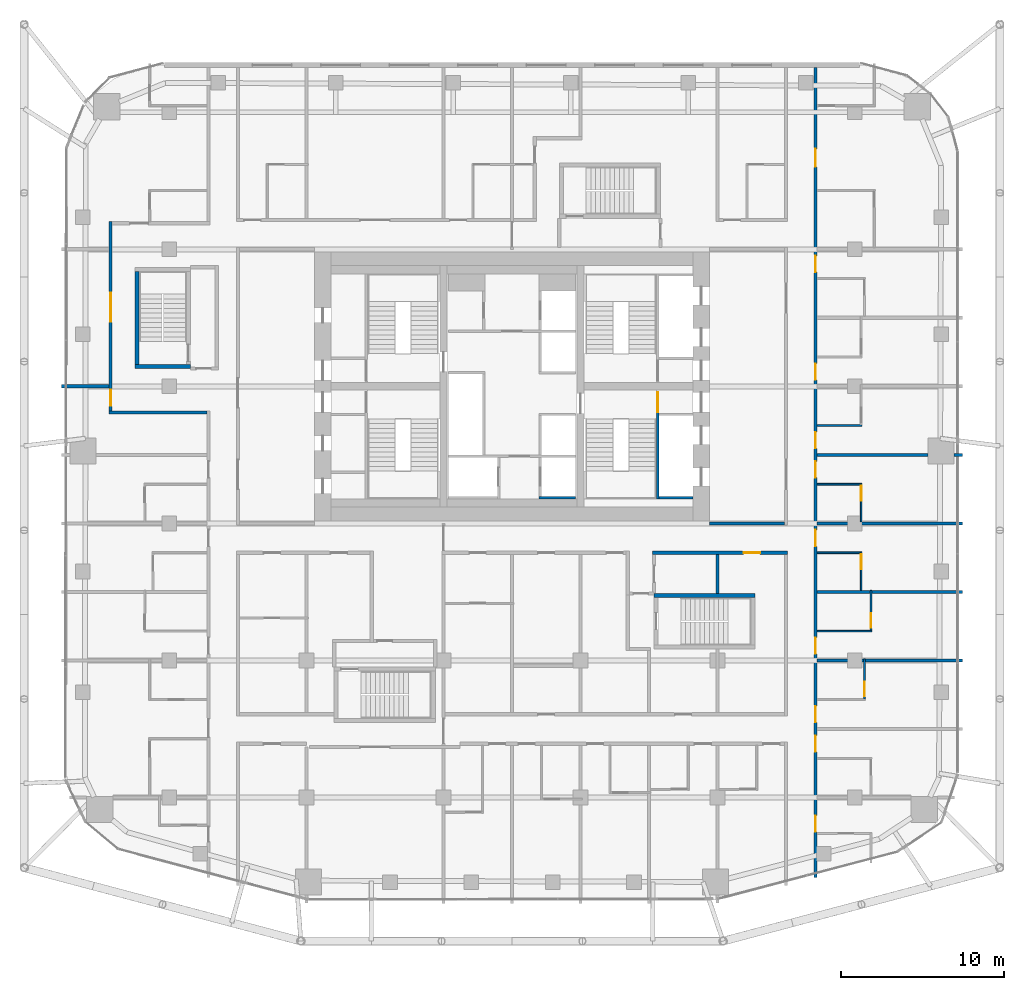
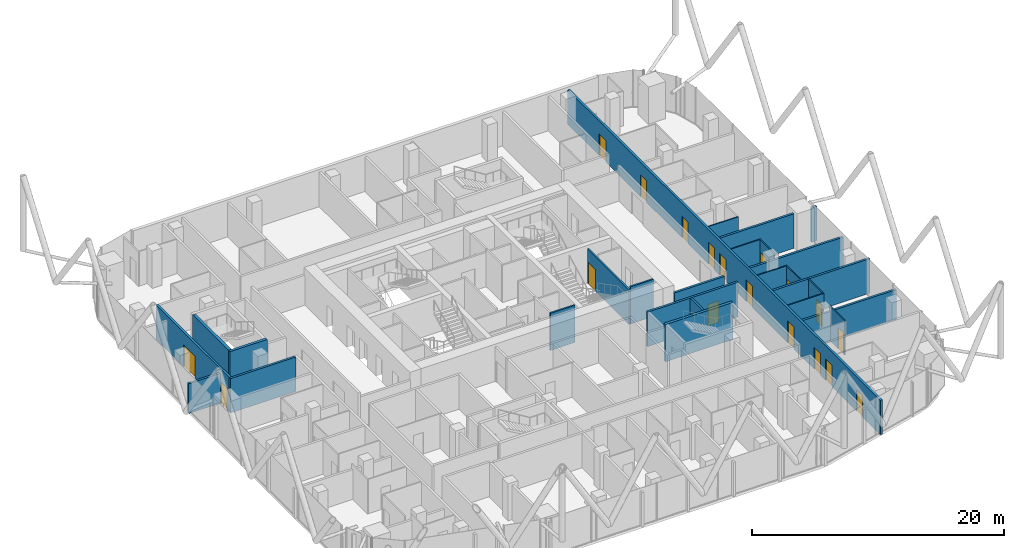
# One storey, part 30 of 36: 26 walls, 18 doors, 18 openings.
"""IFC4 building model written with IfcOpenShell, lengths in metres."""

from ifc_helpers import new_model, si_unit, direction, frame, frame_2d, origin, place, context, subcontext, project, spatial, rectangle, extrude, material, layer, layer_set, type_object, element, fill, save


model = new_model("IFC4")

# Units and contexts
model_context = context("Model", 3, precision=1e-05, world=origin(), true_north=direction((0.0, 1.0)))
body_context = subcontext(model_context, "Body", "Model", "MODEL_VIEW")
ifc_project = project(units=[si_unit("LENGTHUNIT", "METRE"), si_unit("AREAUNIT", "SQUARE_METRE"), si_unit("VOLUMEUNIT", "CUBIC_METRE"), si_unit("PLANEANGLEUNIT", "RADIAN"), si_unit("MASSUNIT", "GRAM", prefix="KILO")], contexts=[model_context])

# Site, building, storey
site_placement = place(None, origin())
site = spatial("IfcSite", under=ifc_project, at=site_placement, CompositionType="ELEMENT")
building_placement = place(site_placement, origin())
building = spatial("IfcBuilding", under=site, at=building_placement, Name="Marenta Gate Hotel Tower", CompositionType="ELEMENT")
storey_placement = place(building_placement, frame((0.0, 0.0, 144.5)))
storey = spatial("IfcBuildingStorey", under=building, at=storey_placement, Name="L33", CompositionType="ELEMENT", Elevation=144.5)

# Walls
ifc_material_1 = material(Name="Concrete blockwork", Category="masonry")
ifc_layer_1 = layer(ifc_material_1, 0.199951171875)
ifc_layer_set_1 = layer_set([ifc_layer_1], Name="Concrete blockwork")
wall_type_1 = type_object("IfcWallType", Name="Core boundary wall 200 REI 180", PredefinedType="PARTITIONING", material=ifc_layer_set_1)
wall_1_placement = place(storey_placement, frame((12.10009765625, 0.0, 0.0), z_axis=(0.0, 0.0, 1.0), x_axis=(1.0, 0.0, 0.0)))
element("IfcWall", 1, at=wall_1_placement, inside=storey, type_object=wall_type_1, Name="L33-CP-EW-ES", PredefinedType="PARTITIONING", context=body_context, shape_type="SweptSolid", body=[
    extrude(rectangle(XDim=4.599853515625, YDim=0.199951171875, at=frame_2d((2.2998046875, 0.0))), origin(), (0.0, 0.0, 1.0), 2.889892578125),
])
ifc_material_2 = material(Name="Concrete C40", Category="concrete")
ifc_layer_2 = layer(ifc_material_2, 0.14990234375)
ifc_layer_set_2 = layer_set([ifc_layer_2], Name="Concrete C40")
wall_type_2 = type_object("IfcWallType", Name="Core shaft wall 150 REI 180", PredefinedType="SHEAR", material=ifc_layer_set_2)
wall_2_placement = place(storey_placement, frame((9.0, 1.574951171875, 0.0), z_axis=(0.0, 0.0, 1.0), x_axis=(1.0, 0.0, 0.0)))
element("IfcWall", 2, at=wall_2_placement, inside=storey, type_object=wall_type_2, Name="L33-SHF-SW-ES-5", PredefinedType="SHEAR", context=body_context, shape_type="SweptSolid", body=[
    extrude(rectangle(XDim=2.10009765625, YDim=0.14990234375, at=frame_2d((1.050048828125, 0.0))), origin(), (0.0, 0.0, 1.0), 3.60009765625),
])
wall_3_placement = place(storey_placement, frame((1.64990234375, 1.574951171875, 0.0), z_axis=(0.0, 0.0, 1.0), x_axis=(1.0, 0.0, 0.0)))
element("IfcWall", 3, at=wall_3_placement, inside=storey, type_object=wall_type_2, Name="L33-SHF-CE-S-bot", PredefinedType="SHEAR", context=body_context, shape_type="SweptSolid", body=[
    extrude(rectangle(XDim=2.25, YDim=0.14990234375, at=frame_2d((1.125, 0.0))), origin(), (0.0, 0.0, 1.0), 3.60009765625),
])

# Wall, opening, door
ifc_material_3 = material(Name="Concrete C40", Category="concrete")
ifc_layer_3 = layer(ifc_material_3, 0.14990234375)
ifc_layer_set_3 = layer_set([ifc_layer_3], Name="Concrete C40")
wall_type_3 = type_object("IfcWallType", Name="Core stair enclosure wall 150 REI 180", PredefinedType="SHEAR", material=ifc_layer_set_3)
wall_4_placement = place(storey_placement, frame((8.925048828125, 1.5, 0.0), z_axis=(0.0, 0.0, 1.0), x_axis=(0.0, 1.0, 0.0)))
wall_4 = element("IfcWall", 4, at=wall_4_placement, inside=storey, type_object=wall_type_3, Name="L33-SHF-SW-ES-3", PredefinedType="SHEAR", context=body_context, shape_type="SweptSolid", body=[
    extrude(rectangle(XDim=6.60009765625, YDim=0.14990234375, at=frame_2d((3.300048828125, 0.0))), origin(), (0.0, 0.0, 1.0), 3.340087890625),
])
opening_1_placement = place(wall_4_placement, frame((5.324951171875, 0.0, 0.0)))
opening_1 = element("IfcOpeningElement", 5, at=opening_1_placement, cuts=wall_4, Name="Opening SD-ES", PredefinedType="OPENING", context=body_context, shape_type="SweptSolid", body=[
    extrude(rectangle(XDim=1.199951171875, YDim=2.10009765625, at=frame_2d((0.60009765625, 1.050048828125))), frame((0.0, 0.074951171875, 0.0), z_axis=(0.0, -1.0, 0.0), x_axis=(1.0, 0.0, 0.0)), (0.0, 0.0, 1.0), 0.14990234375),
])
ifc_material_4 = material(Name="Steel", Category="steel")
door_type_1 = type_object("IfcDoorType", Name="Core stair door 1200x2100 FD60", OperationType="SINGLE_SWING_LEFT", PredefinedType="DOOR", material=ifc_material_4)
door_1_placement = place(opening_1_placement, origin())
door_1 = element("IfcDoor", 6, at=door_1_placement, inside=storey, type_object=door_type_1, Name="SD-ES", OperationType="SINGLE_SWING_LEFT", OverallHeight=2.10009765625, OverallWidth=1.199951171875, PredefinedType="DOOR", context=body_context, shape_type="SweptSolid", body=[
    extrude(rectangle(XDim=1.199951171875, YDim=2.10009765625, at=frame_2d((0.60009765625, 1.050048828125))), frame((0.0, 0.02490234375, 0.0), z_axis=(0.0, -1.0, 0.0), x_axis=(1.0, 0.0, 0.0)), (0.0, 0.0, 1.0), 0.050048828125),
])
fill(opening_1, door_1)

# Walls
ifc_material_5 = material(Name="Concrete C40", Category="concrete")
ifc_layer_4 = layer(ifc_material_5, 0.25)
ifc_layer_set_4 = layer_set([ifc_layer_4], Name="Concrete C40")
wall_type_4 = type_object("IfcWallType", Name="Remote stair enclosure wall 250 REI 180", PredefinedType="SHEAR", material=ifc_layer_set_4)
wall_5_placement = place(storey_placement, frame((-23.10009765625, 9.625, 0.10009765625), z_axis=(0.0, 0.0, 1.0), x_axis=(1.0, 0.0, 0.0)))
element("IfcWall", 7, at=wall_5_placement, inside=storey, type_object=wall_type_4, Name="L33-RS-Z1-3-W1", PredefinedType="SHEAR", context=body_context, shape_type="SweptSolid", body=[
    extrude(rectangle(XDim=3.400146484375, YDim=0.25, at=frame_2d((1.7001953125, 0.0))), origin(), (0.0, 0.0, 1.0), 3.599853515625),
])
wall_6_placement = place(storey_placement, frame((-22.97509765625, 9.75, 0.10009765625), z_axis=(0.0, 0.0, 1.0), x_axis=(0.0, 1.0, 0.0)))
element("IfcWall", 8, at=wall_6_placement, inside=storey, type_object=wall_type_4, Name="L33-RS-Z1-3-W3", PredefinedType="SHEAR", context=body_context, shape_type="SweptSolid", body=[
    extrude(rectangle(XDim=5.699951171875, YDim=0.25, at=frame_2d((2.85009765625, 0.0))), origin(), (0.0, 0.0, 1.0), 3.599853515625),
])
wall_7_placement = place(storey_placement, frame((8.699951171875, -4.425048828125, 0.10009765625), z_axis=(0.0, 0.0, 1.0), x_axis=(1.0, 0.0, 0.0)))
element("IfcWall", 9, at=wall_7_placement, inside=storey, type_object=wall_type_4, Name="L33-RS-Z2-2-W2", PredefinedType="SHEAR", context=body_context, shape_type="SweptSolid", body=[
    extrude(rectangle(XDim=6.199951171875, YDim=0.25, at=frame_2d((3.10009765625, 0.0))), origin(), (0.0, 0.0, 1.0), 3.599853515625),
])

# Wall, openings, doors
ifc_material_6 = material(Name="Gypsum board on steel stud", Category="steel")
ifc_layer_5 = layer(ifc_material_6, 0.199951171875)
ifc_layer_set_5 = layer_set([ifc_layer_5], Name="Gypsum board on steel stud")
wall_type_5 = type_object("IfcWallType", Name="Room corridor wall 200 EI 60", PredefinedType="PARTITIONING", material=ifc_layer_set_5)
wall_8_placement = place(storey_placement, frame((18.60009765625, -21.7080078125, 0.0), z_axis=(0.0, 0.0, 1.0), x_axis=(0.0, 1.0, 0.0)))
wall_8 = element("IfcWall", 10, at=wall_8_placement, inside=storey, type_object=wall_type_5, Name="L33-PTN-W013", PredefinedType="PARTITIONING", context=body_context, shape_type="SweptSolid", body=[
    extrude(rectangle(XDim=49.64794921875, YDim=0.199951171875, at=frame_2d((24.823974609375, 0.0))), origin(), (0.0, 0.0, 1.0), 3.340087890625),
])
opening_2_placement = place(wall_8_placement, frame((2.800048828125, 0.0, 0.0)))
opening_2 = element("IfcOpeningElement", 11, at=opening_2_placement, cuts=wall_8, Name="Opening G12-08", PredefinedType="OPENING", context=body_context, shape_type="SweptSolid", body=[
    extrude(rectangle(XDim=1.0, YDim=2.10009765625, at=frame_2d((0.5, 1.050048828125))), frame((0.0, 0.10009765625, 0.0), z_axis=(0.0, -1.0, 0.0), x_axis=(1.0, 0.0, 0.0)), (0.0, 0.0, 1.0), 0.199951171875),
])
opening_3_placement = place(wall_8_placement, frame((7.7080078125, 0.0, 0.0)))
opening_3 = element("IfcOpeningElement", 12, at=opening_3_placement, cuts=wall_8, Name="Opening G12-10", PredefinedType="OPENING", context=body_context, shape_type="SweptSolid", body=[
    extrude(rectangle(XDim=1.0, YDim=2.10009765625, at=frame_2d((0.5, 1.050048828125))), frame((0.0, 0.10009765625, 0.0), z_axis=(0.0, -1.0, 0.0), x_axis=(1.0, 0.0, 0.0)), (0.0, 0.0, 1.0), 0.199951171875),
])
opening_4_placement = place(wall_8_placement, frame((9.508056640625, 0.0, 0.0)))
opening_4 = element("IfcOpeningElement", 13, at=opening_4_placement, cuts=wall_8, Name="Opening G12-12", PredefinedType="OPENING", context=body_context, shape_type="SweptSolid", body=[
    extrude(rectangle(XDim=1.0, YDim=2.10009765625, at=frame_2d((0.5, 1.050048828125))), frame((0.0, 0.10009765625, 0.0), z_axis=(0.0, -1.0, 0.0), x_axis=(1.0, 0.0, 0.0)), (0.0, 0.0, 1.0), 0.199951171875),
])
opening_5_placement = place(wall_8_placement, frame((13.7080078125, 0.0, 0.0)))
opening_5 = element("IfcOpeningElement", 14, at=opening_5_placement, cuts=wall_8, Name="Opening G12-14", PredefinedType="OPENING", context=body_context, shape_type="SweptSolid", body=[
    extrude(rectangle(XDim=1.0, YDim=2.10009765625, at=frame_2d((0.5, 1.050048828125))), frame((0.0, 0.10009765625, 0.0), z_axis=(0.0, -1.0, 0.0), x_axis=(1.0, 0.0, 0.0)), (0.0, 0.0, 1.0), 0.199951171875),
])
opening_6_placement = place(wall_8_placement, frame((20.30810546875, 0.0, 0.0)))
opening_6 = element("IfcOpeningElement", 15, at=opening_6_placement, cuts=wall_8, Name="Opening G12-16", PredefinedType="OPENING", context=body_context, shape_type="SweptSolid", body=[
    extrude(rectangle(XDim=1.0, YDim=2.10009765625, at=frame_2d((0.5, 1.050048828125))), frame((0.0, 0.10009765625, 0.0), z_axis=(0.0, -1.0, 0.0), x_axis=(1.0, 0.0, 0.0)), (0.0, 0.0, 1.0), 0.199951171875),
])
opening_7_placement = place(wall_8_placement, frame((24.508056640625, 0.0, 0.0)))
opening_7 = element("IfcOpeningElement", 16, at=opening_7_placement, cuts=wall_8, Name="Opening G12-18", PredefinedType="OPENING", context=body_context, shape_type="SweptSolid", body=[
    extrude(rectangle(XDim=1.0, YDim=2.10009765625, at=frame_2d((0.5, 1.050048828125))), frame((0.0, 0.10009765625, 0.0), z_axis=(0.0, -1.0, 0.0), x_axis=(1.0, 0.0, 0.0)), (0.0, 0.0, 1.0), 0.199951171875),
])
opening_8_placement = place(wall_8_placement, frame((26.30810546875, 0.0, 0.0)))
opening_8 = element("IfcOpeningElement", 17, at=opening_8_placement, cuts=wall_8, Name="Opening G12-20", PredefinedType="OPENING", context=body_context, shape_type="SweptSolid", body=[
    extrude(rectangle(XDim=1.0, YDim=2.10009765625, at=frame_2d((0.5, 1.050048828125))), frame((0.0, 0.10009765625, 0.0), z_axis=(0.0, -1.0, 0.0), x_axis=(1.0, 0.0, 0.0)), (0.0, 0.0, 1.0), 0.199951171875),
])
opening_9_placement = place(wall_8_placement, frame((30.508056640625, 0.0, 0.0)))
opening_9 = element("IfcOpeningElement", 18, at=opening_9_placement, cuts=wall_8, Name="Opening G12-22", PredefinedType="OPENING", context=body_context, shape_type="SweptSolid", body=[
    extrude(rectangle(XDim=1.0, YDim=2.10009765625, at=frame_2d((0.5, 1.050048828125))), frame((0.0, 0.10009765625, 0.0), z_axis=(0.0, -1.0, 0.0), x_axis=(1.0, 0.0, 0.0)), (0.0, 0.0, 1.0), 0.199951171875),
])
opening_10_placement = place(wall_8_placement, frame((37.10791015625, 0.0, 0.0)))
opening_10 = element("IfcOpeningElement", 19, at=opening_10_placement, cuts=wall_8, Name="Opening G12-24", PredefinedType="OPENING", context=body_context, shape_type="SweptSolid", body=[
    extrude(rectangle(XDim=1.0, YDim=2.10009765625, at=frame_2d((0.5, 1.050048828125))), frame((0.0, 0.10009765625, 0.0), z_axis=(0.0, -1.0, 0.0), x_axis=(1.0, 0.0, 0.0)), (0.0, 0.0, 1.0), 0.199951171875),
])
opening_11_placement = place(wall_8_placement, frame((43.55810546875, 0.0, 0.0)))
opening_11 = element("IfcOpeningElement", 20, at=opening_11_placement, cuts=wall_8, Name="Opening G12-26", PredefinedType="OPENING", context=body_context, shape_type="SweptSolid", body=[
    extrude(rectangle(XDim=1.10009765625, YDim=2.10009765625, at=frame_2d((0.550048828125, 1.050048828125))), frame((0.0, 0.10009765625, 0.0), z_axis=(0.0, -1.0, 0.0), x_axis=(1.0, 0.0, 0.0)), (0.0, 0.0, 1.0), 0.199951171875),
])
ifc_material_7 = material(Name="Timber door leaf", Category="wood")
door_type_2 = type_object("IfcDoorType", Name="Guest room door 1000x2100 EI 30", OperationType="NOTDEFINED", PredefinedType="DOOR", material=ifc_material_7)
door_2_placement = place(opening_2_placement, origin())
door_2 = element("IfcDoor", 21, at=door_2_placement, inside=storey, type_object=door_type_2, Name="L33-PD-D008", OperationType="SINGLE_SWING_RIGHT", OverallHeight=2.10009765625, OverallWidth=1.0, PredefinedType="DOOR", context=body_context, shape_type="SweptSolid", body=[
    extrude(rectangle(XDim=1.0, YDim=2.10009765625, at=frame_2d((0.5, 1.050048828125))), frame((0.0, 0.02490234375, 0.0), z_axis=(0.0, -1.0, 0.0), x_axis=(1.0, 0.0, 0.0)), (0.0, 0.0, 1.0), 0.050048828125),
])
fill(opening_2, door_2)
door_3_placement = place(opening_3_placement, origin())
door_3 = element("IfcDoor", 22, at=door_3_placement, inside=storey, type_object=door_type_2, Name="L33-PD-D010", OperationType="SINGLE_SWING_RIGHT", OverallHeight=2.10009765625, OverallWidth=1.0, PredefinedType="DOOR", context=body_context, shape_type="SweptSolid", body=[
    extrude(rectangle(XDim=1.0, YDim=2.10009765625, at=frame_2d((0.5, 1.050048828125))), frame((0.0, 0.02490234375, 0.0), z_axis=(0.0, -1.0, 0.0), x_axis=(1.0, 0.0, 0.0)), (0.0, 0.0, 1.0), 0.050048828125),
])
fill(opening_3, door_3)
door_4_placement = place(opening_4_placement, origin())
door_4 = element("IfcDoor", 23, at=door_4_placement, inside=storey, type_object=door_type_2, Name="L33-PD-D012", OperationType="SINGLE_SWING_RIGHT", OverallHeight=2.10009765625, OverallWidth=1.0, PredefinedType="DOOR", context=body_context, shape_type="SweptSolid", body=[
    extrude(rectangle(XDim=1.0, YDim=2.10009765625, at=frame_2d((0.5, 1.050048828125))), frame((0.0, 0.02490234375, 0.0), z_axis=(0.0, -1.0, 0.0), x_axis=(1.0, 0.0, 0.0)), (0.0, 0.0, 1.0), 0.050048828125),
])
fill(opening_4, door_4)
door_5_placement = place(opening_5_placement, origin())
door_5 = element("IfcDoor", 24, at=door_5_placement, inside=storey, type_object=door_type_2, Name="L33-PD-D014", OperationType="SINGLE_SWING_RIGHT", OverallHeight=2.10009765625, OverallWidth=1.0, PredefinedType="DOOR", context=body_context, shape_type="SweptSolid", body=[
    extrude(rectangle(XDim=1.0, YDim=2.10009765625, at=frame_2d((0.5, 1.050048828125))), frame((0.0, 0.02490234375, 0.0), z_axis=(0.0, -1.0, 0.0), x_axis=(1.0, 0.0, 0.0)), (0.0, 0.0, 1.0), 0.050048828125),
])
fill(opening_5, door_5)
door_6_placement = place(opening_6_placement, origin())
door_6 = element("IfcDoor", 25, at=door_6_placement, inside=storey, type_object=door_type_2, Name="L33-PD-D016", OperationType="SINGLE_SWING_RIGHT", OverallHeight=2.10009765625, OverallWidth=1.0, PredefinedType="DOOR", context=body_context, shape_type="SweptSolid", body=[
    extrude(rectangle(XDim=1.0, YDim=2.10009765625, at=frame_2d((0.5, 1.050048828125))), frame((0.0, 0.02490234375, 0.0), z_axis=(0.0, -1.0, 0.0), x_axis=(1.0, 0.0, 0.0)), (0.0, 0.0, 1.0), 0.050048828125),
])
fill(opening_6, door_6)
door_7_placement = place(opening_7_placement, origin())
door_7 = element("IfcDoor", 26, at=door_7_placement, inside=storey, type_object=door_type_2, Name="L33-PD-D018", OperationType="SINGLE_SWING_RIGHT", OverallHeight=2.10009765625, OverallWidth=1.0, PredefinedType="DOOR", context=body_context, shape_type="SweptSolid", body=[
    extrude(rectangle(XDim=1.0, YDim=2.10009765625, at=frame_2d((0.5, 1.050048828125))), frame((0.0, 0.02490234375, 0.0), z_axis=(0.0, -1.0, 0.0), x_axis=(1.0, 0.0, 0.0)), (0.0, 0.0, 1.0), 0.050048828125),
])
fill(opening_7, door_7)
door_8_placement = place(opening_8_placement, origin())
door_8 = element("IfcDoor", 27, at=door_8_placement, inside=storey, type_object=door_type_2, Name="L33-PD-D020", OperationType="SINGLE_SWING_RIGHT", OverallHeight=2.10009765625, OverallWidth=1.0, PredefinedType="DOOR", context=body_context, shape_type="SweptSolid", body=[
    extrude(rectangle(XDim=1.0, YDim=2.10009765625, at=frame_2d((0.5, 1.050048828125))), frame((0.0, 0.02490234375, 0.0), z_axis=(0.0, -1.0, 0.0), x_axis=(1.0, 0.0, 0.0)), (0.0, 0.0, 1.0), 0.050048828125),
])
fill(opening_8, door_8)
door_9_placement = place(opening_9_placement, origin())
door_9 = element("IfcDoor", 28, at=door_9_placement, inside=storey, type_object=door_type_2, Name="L33-PD-D022", OperationType="SINGLE_SWING_RIGHT", OverallHeight=2.10009765625, OverallWidth=1.0, PredefinedType="DOOR", context=body_context, shape_type="SweptSolid", body=[
    extrude(rectangle(XDim=1.0, YDim=2.10009765625, at=frame_2d((0.5, 1.050048828125))), frame((0.0, 0.02490234375, 0.0), z_axis=(0.0, -1.0, 0.0), x_axis=(1.0, 0.0, 0.0)), (0.0, 0.0, 1.0), 0.050048828125),
])
fill(opening_9, door_9)
door_10_placement = place(opening_10_placement, origin())
door_10 = element("IfcDoor", 29, at=door_10_placement, inside=storey, type_object=door_type_2, Name="L33-PD-D024", OperationType="SINGLE_SWING_RIGHT", OverallHeight=2.10009765625, OverallWidth=1.0, PredefinedType="DOOR", context=body_context, shape_type="SweptSolid", body=[
    extrude(rectangle(XDim=1.0, YDim=2.10009765625, at=frame_2d((0.5, 1.050048828125))), frame((0.0, 0.02490234375, 0.0), z_axis=(0.0, -1.0, 0.0), x_axis=(1.0, 0.0, 0.0)), (0.0, 0.0, 1.0), 0.050048828125),
])
fill(opening_10, door_10)
ifc_material_8 = material(Name="Timber door leaf", Category="wood")
door_type_3 = type_object("IfcDoorType", Name="Guest room door 1100x2100 EI 30", OperationType="NOTDEFINED", PredefinedType="DOOR", material=ifc_material_8)
door_11_placement = place(opening_11_placement, origin())
door_11 = element("IfcDoor", 30, at=door_11_placement, inside=storey, type_object=door_type_3, Name="L33-PD-D026", OperationType="SINGLE_SWING_RIGHT", OverallHeight=2.10009765625, OverallWidth=1.10009765625, PredefinedType="DOOR", context=body_context, shape_type="SweptSolid", body=[
    extrude(rectangle(XDim=1.10009765625, YDim=2.10009765625, at=frame_2d((0.550048828125, 1.050048828125))), frame((0.0, 0.02490234375, 0.0), z_axis=(0.0, -1.0, 0.0), x_axis=(1.0, 0.0, 0.0)), (0.0, 0.0, 1.0), 0.050048828125),
])
fill(opening_11, door_11)

# Wall, opening, door
wall_9_placement = place(storey_placement, frame((8.60009765625, -1.800048828125, 0.0), z_axis=(0.0, 0.0, 1.0), x_axis=(1.0, 0.0, 0.0)))
wall_9 = element("IfcWall", 31, at=wall_9_placement, inside=storey, type_object=wall_type_5, Name="L33-PTN-W071", PredefinedType="PARTITIONING", context=body_context, shape_type="SweptSolid", body=[
    extrude(rectangle(XDim=8.2998046875, YDim=0.199951171875, at=frame_2d((4.14990234375, 0.0))), origin(), (0.0, 0.0, 1.0), 3.340087890625),
])
opening_12_placement = place(wall_9_placement, frame((5.60009765625, 0.0, 0.0)))
opening_12 = element("IfcOpeningElement", 32, at=opening_12_placement, cuts=wall_9, Name="Opening G12-07", PredefinedType="OPENING", context=body_context, shape_type="SweptSolid", body=[
    extrude(rectangle(XDim=1.0, YDim=2.10009765625, at=frame_2d((0.5, 1.050048828125))), frame((0.0, 0.10009765625, 0.0), z_axis=(0.0, -1.0, 0.0), x_axis=(1.0, 0.0, 0.0)), (0.0, 0.0, 1.0), 0.199951171875),
])
ifc_material_9 = material(Name="Timber door leaf", Category="wood")
door_type_4 = type_object("IfcDoorType", Name="Room amenity door 1000x2100 EI 30", OperationType="NOTDEFINED", PredefinedType="DOOR", material=ifc_material_9)
door_12_placement = place(opening_12_placement, origin())
door_12 = element("IfcDoor", 33, at=door_12_placement, inside=storey, type_object=door_type_4, Name="L33-PD-D007", OperationType="SINGLE_SWING_LEFT", OverallHeight=2.10009765625, OverallWidth=1.0, PredefinedType="DOOR", context=body_context, shape_type="SweptSolid", body=[
    extrude(rectangle(XDim=1.0, YDim=2.10009765625, at=frame_2d((0.5, 1.050048828125))), frame((0.0, 0.02490234375, 0.0), z_axis=(0.0, -1.0, 0.0), x_axis=(1.0, 0.0, 0.0)), (0.0, 0.0, 1.0), 0.050048828125),
])
fill(opening_12, door_12)

# Wall
wall_10_placement = place(storey_placement, frame((-24.699951171875, 6.800048828125, 0.0), z_axis=(0.0, 0.0, 1.0), x_axis=(1.0, 0.0, 0.0)))
element("IfcWall", 34, at=wall_10_placement, inside=storey, type_object=wall_type_5, Name="L33-PTN-W089", PredefinedType="PARTITIONING", context=body_context, shape_type="SweptSolid", body=[
    extrude(rectangle(XDim=6.0, YDim=0.199951171875, at=frame_2d((3.0, 0.0))), origin(), (0.0, 0.0, 1.0), 3.340087890625),
])

# Wall, openings, doors
wall_11_placement = place(storey_placement, frame((-24.60009765625, 6.89990234375, 0.0), z_axis=(0.0, 0.0, 1.0), x_axis=(0.0, 1.0, 0.0)))
wall_11 = element("IfcWall", 35, at=wall_11_placement, inside=storey, type_object=wall_type_5, Name="L33-PTN-W128", PredefinedType="PARTITIONING", context=body_context, shape_type="SweptSolid", body=[
    extrude(rectangle(XDim=11.60009765625, YDim=0.199951171875, at=frame_2d((5.800048828125, 0.0))), origin(), (0.0, 0.0, 1.0), 3.340087890625),
])
opening_13_placement = place(wall_11_placement, frame((5.449951171875, 0.0, 0.0)))
opening_13 = element("IfcOpeningElement", 36, at=opening_13_placement, cuts=wall_11, Name="Opening G12-61", PredefinedType="OPENING", context=body_context, shape_type="SweptSolid", body=[
    extrude(rectangle(XDim=1.800048828125, YDim=2.10009765625, at=frame_2d((0.89990234375, 1.050048828125))), frame((0.0, 0.10009765625, 0.0), z_axis=(0.0, -1.0, 0.0), x_axis=(1.0, 0.0, 0.0)), (0.0, 0.0, 1.0), 0.199951171875),
])
opening_14_placement = place(wall_11_placement, frame((0.300048828125, 0.0, 0.0)))
opening_14 = element("IfcOpeningElement", 37, at=opening_14_placement, cuts=wall_11, Name="Opening G12-69", PredefinedType="OPENING", context=body_context, shape_type="SweptSolid", body=[
    extrude(rectangle(XDim=1.0, YDim=2.10009765625, at=frame_2d((0.5, 1.050048828125))), frame((0.0, 0.10009765625, 0.0), z_axis=(0.0, -1.0, 0.0), x_axis=(1.0, 0.0, 0.0)), (0.0, 0.0, 1.0), 0.199951171875),
])
door_13_placement = place(opening_14_placement, origin())
door_13 = element("IfcDoor", 38, at=door_13_placement, inside=storey, type_object=door_type_4, Name="L33-PD-D069", OperationType="SINGLE_SWING_LEFT", OverallHeight=2.10009765625, OverallWidth=1.0, PredefinedType="DOOR", context=body_context, shape_type="SweptSolid", body=[
    extrude(rectangle(XDim=1.0, YDim=2.10009765625, at=frame_2d((0.5, 1.050048828125))), frame((0.0, 0.02490234375, 0.0), z_axis=(0.0, -1.0, 0.0), x_axis=(1.0, 0.0, 0.0)), (0.0, 0.0, 1.0), 0.050048828125),
])
fill(opening_14, door_13)
ifc_material_10 = material(Name="Timber door leaf", Category="wood")
door_type_5 = type_object("IfcDoorType", Name="Room amenity door 1800x2100 EI 30", OperationType="DOUBLE_DOOR_SINGLE_SWING", PredefinedType="DOOR", material=ifc_material_10)
door_14_placement = place(opening_13_placement, origin())
door_14 = element("IfcDoor", 39, at=door_14_placement, inside=storey, type_object=door_type_5, Name="L33-PD-D061", OperationType="DOUBLE_DOOR_SINGLE_SWING", OverallHeight=2.10009765625, OverallWidth=1.800048828125, PredefinedType="DOOR", context=body_context, shape_type="SweptSolid", body=[
    extrude(rectangle(XDim=1.800048828125, YDim=2.10009765625, at=frame_2d((0.89990234375, 1.050048828125))), frame((0.0, 0.02490234375, 0.0), z_axis=(0.0, -1.0, 0.0), x_axis=(1.0, 0.0, 0.0)), (0.0, 0.0, 1.0), 0.050048828125),
])
fill(opening_13, door_14)

# Wall, opening, door
ifc_material_11 = material(Name="Gypsum board on steel stud", Category="steel")
ifc_layer_6 = layer(ifc_material_11, 0.10009765625)
ifc_layer_set_6 = layer_set([ifc_layer_6], Name="Gypsum board on steel stud")
wall_type_6 = type_object("IfcWallType", Name="Room partition 100", PredefinedType="PARTITIONING", material=ifc_layer_set_6)
wall_12_placement = place(storey_placement, frame((22.0, -6.550048828125, 0.0), z_axis=(0.0, 0.0, 1.0), x_axis=(0.0, 1.0, 0.0)))
wall_12 = element("IfcWall", 40, at=wall_12_placement, inside=storey, type_object=wall_type_6, Name="L33-PTN-W005", PredefinedType="PARTITIONING", context=body_context, shape_type="SweptSolid", body=[
    extrude(rectangle(XDim=2.449951171875, YDim=0.10009765625, at=frame_2d((1.22509765625, 0.0))), origin(), (0.0, 0.0, 1.0), 3.340087890625),
])
opening_15_placement = place(wall_12_placement, frame((0.14990234375, 0.0, 0.0)))
opening_15 = element("IfcOpeningElement", 41, at=opening_15_placement, cuts=wall_12, Name="Opening G12-15", PredefinedType="OPENING", context=body_context, shape_type="SweptSolid", body=[
    extrude(rectangle(XDim=0.89990234375, YDim=2.10009765625, at=frame_2d((0.449951171875, 1.050048828125))), frame((0.0, 0.050048828125, 0.0), z_axis=(0.0, -1.0, 0.0), x_axis=(1.0, 0.0, 0.0)), (0.0, 0.0, 1.0), 0.10009765625),
])
ifc_material_12 = material(Name="Timber door leaf", Category="wood")
door_type_6 = type_object("IfcDoorType", Name="Guest bathroom door 900x2100", OperationType="NOTDEFINED", PredefinedType="DOOR", material=ifc_material_12)
door_15_placement = place(opening_15_placement, origin())
door_15 = element("IfcDoor", 42, at=door_15_placement, inside=storey, type_object=door_type_6, Name="L33-PD-D015", OperationType="SINGLE_SWING_LEFT", OverallHeight=2.10009765625, OverallWidth=0.89990234375, PredefinedType="DOOR", context=body_context, shape_type="SweptSolid", body=[
    extrude(rectangle(XDim=0.89990234375, YDim=2.10009765625, at=frame_2d((0.449951171875, 1.050048828125))), frame((0.0, 0.02490234375, 0.0), z_axis=(0.0, -1.0, 0.0), x_axis=(1.0, 0.0, 0.0)), (0.0, 0.0, 1.0), 0.050048828125),
])
fill(opening_15, door_15)

wall_13_placement = place(storey_placement, frame((21.60009765625, -10.75, 0.0), z_axis=(0.0, 0.0, 1.0), x_axis=(0.0, 1.0, 0.0)))
wall_13 = element("IfcWall", 43, at=wall_13_placement, inside=storey, type_object=wall_type_6, Name="L33-PTN-W006", PredefinedType="PARTITIONING", context=body_context, shape_type="SweptSolid", body=[
    extrude(rectangle(XDim=2.449951171875, YDim=0.10009765625, at=frame_2d((1.22509765625, 0.0))), origin(), (0.0, 0.0, 1.0), 3.340087890625),
])
opening_16_placement = place(wall_13_placement, frame((0.14990234375, 0.0, 0.0)))
opening_16 = element("IfcOpeningElement", 44, at=opening_16_placement, cuts=wall_13, Name="Opening G12-13", PredefinedType="OPENING", context=body_context, shape_type="SweptSolid", body=[
    extrude(rectangle(XDim=0.89990234375, YDim=2.10009765625, at=frame_2d((0.449951171875, 1.050048828125))), frame((0.0, 0.050048828125, 0.0), z_axis=(0.0, -1.0, 0.0), x_axis=(1.0, 0.0, 0.0)), (0.0, 0.0, 1.0), 0.10009765625),
])
door_16_placement = place(opening_16_placement, origin())
door_16 = element("IfcDoor", 45, at=door_16_placement, inside=storey, type_object=door_type_6, Name="L33-PD-D013", OperationType="SINGLE_SWING_LEFT", OverallHeight=2.10009765625, OverallWidth=0.89990234375, PredefinedType="DOOR", context=body_context, shape_type="SweptSolid", body=[
    extrude(rectangle(XDim=0.89990234375, YDim=2.10009765625, at=frame_2d((0.449951171875, 1.050048828125))), frame((0.0, 0.02490234375, 0.0), z_axis=(0.0, -1.0, 0.0), x_axis=(1.0, 0.0, 0.0)), (0.0, 0.0, 1.0), 0.050048828125),
])
fill(opening_16, door_16)

wall_14_placement = place(storey_placement, frame((21.39990234375, -4.10009765625, 0.0), z_axis=(0.0, 0.0, 1.0), x_axis=(0.0, 1.0, 0.0)))
wall_14 = element("IfcWall", 46, at=wall_14_placement, inside=storey, type_object=wall_type_6, Name="L33-PTN-W008", PredefinedType="PARTITIONING", context=body_context, shape_type="SweptSolid", body=[
    extrude(rectangle(XDim=2.35009765625, YDim=0.10009765625, at=frame_2d((1.175048828125, 0.0))), origin(), (0.0, 0.0, 1.0), 3.340087890625),
])
opening_17_placement = place(wall_14_placement, frame((1.300048828125, 0.0, 0.0)))
opening_17 = element("IfcOpeningElement", 47, at=opening_17_placement, cuts=wall_14, Name="Opening G12-17", PredefinedType="OPENING", context=body_context, shape_type="SweptSolid", body=[
    extrude(rectangle(XDim=0.89990234375, YDim=2.10009765625, at=frame_2d((0.449951171875, 1.050048828125))), frame((0.0, 0.050048828125, 0.0), z_axis=(0.0, -1.0, 0.0), x_axis=(1.0, 0.0, 0.0)), (0.0, 0.0, 1.0), 0.10009765625),
])
door_17_placement = place(opening_17_placement, origin())
door_17 = element("IfcDoor", 48, at=door_17_placement, inside=storey, type_object=door_type_6, Name="L33-PD-D017", OperationType="SINGLE_SWING_RIGHT", OverallHeight=2.10009765625, OverallWidth=0.89990234375, PredefinedType="DOOR", context=body_context, shape_type="SweptSolid", body=[
    extrude(rectangle(XDim=0.89990234375, YDim=2.10009765625, at=frame_2d((0.449951171875, 1.050048828125))), frame((0.0, 0.02490234375, 0.0), z_axis=(0.0, -1.0, 0.0), x_axis=(1.0, 0.0, 0.0)), (0.0, 0.0, 1.0), 0.050048828125),
])
fill(opening_17, door_17)

wall_15_placement = place(storey_placement, frame((21.39990234375, 0.10009765625, 0.0), z_axis=(0.0, 0.0, 1.0), x_axis=(0.0, 1.0, 0.0)))
wall_15 = element("IfcWall", 49, at=wall_15_placement, inside=storey, type_object=wall_type_6, Name="L33-PTN-W009", PredefinedType="PARTITIONING", context=body_context, shape_type="SweptSolid", body=[
    extrude(rectangle(XDim=2.349853515625, YDim=0.10009765625, at=frame_2d((1.1748046875, 0.0))), origin(), (0.0, 0.0, 1.0), 3.340087890625),
])
opening_18_placement = place(wall_15_placement, frame((1.300048828125, 0.0, 0.0)))
opening_18 = element("IfcOpeningElement", 50, at=opening_18_placement, cuts=wall_15, Name="Opening G12-19", PredefinedType="OPENING", context=body_context, shape_type="SweptSolid", body=[
    extrude(rectangle(XDim=0.89990234375, YDim=2.10009765625, at=frame_2d((0.449951171875, 1.050048828125))), frame((0.0, 0.050048828125, 0.0), z_axis=(0.0, -1.0, 0.0), x_axis=(1.0, 0.0, 0.0)), (0.0, 0.0, 1.0), 0.10009765625),
])
door_18_placement = place(opening_18_placement, origin())
door_18 = element("IfcDoor", 51, at=door_18_placement, inside=storey, type_object=door_type_6, Name="L33-PD-D019", OperationType="SINGLE_SWING_RIGHT", OverallHeight=2.10009765625, OverallWidth=0.89990234375, PredefinedType="DOOR", context=body_context, shape_type="SweptSolid", body=[
    extrude(rectangle(XDim=0.89990234375, YDim=2.10009765625, at=frame_2d((0.449951171875, 1.050048828125))), frame((0.0, 0.02490234375, 0.0), z_axis=(0.0, -1.0, 0.0), x_axis=(1.0, 0.0, 0.0)), (0.0, 0.0, 1.0), 0.050048828125),
])
fill(opening_18, door_18)

# Walls
wall_16_placement = place(storey_placement, frame((18.699951171875, -6.60009765625, 0.0), z_axis=(0.0, 0.0, 1.0), x_axis=(1.0, 0.0, 0.0)))
element("IfcWall", 52, at=wall_16_placement, inside=storey, type_object=wall_type_6, Name="L33-PTN-W055", PredefinedType="PARTITIONING", context=body_context, shape_type="SweptSolid", body=[
    extrude(rectangle(XDim=3.35009765625, YDim=0.10009765625, at=frame_2d((1.675048828125, 0.0))), origin(), (0.0, 0.0, 1.0), 3.340087890625),
])
for number, where, z_axis, x_axis, name in (
    (53, (18.699951171875, -1.800048828125, 0.0), (0.0, 0.0, 1.0), (1.0, 0.0, 0.0), "L33-PTN-W068"),
    (54, (18.699951171875, 2.39990234375, 0.0), (0.0, 0.0, 1.0), (1.0, 0.0, 0.0), "L33-PTN-W081"),
):
    element("IfcWall", number, at=place(storey_placement, frame(where, z_axis=z_axis, x_axis=x_axis)), inside=storey, type_object=wall_type_6, Name=name, PredefinedType="PARTITIONING", context=body_context, shape_type="SweptSolid", body=[
        extrude(rectangle(XDim=2.650146484375, YDim=0.10009765625, at=frame_2d((1.3251953125, 0.0))), origin(), (0.0, 0.0, 1.0), 3.340087890625),
    ])
wall_17_placement = place(storey_placement, frame((18.699951171875, 6.0, 0.0), z_axis=(0.0, 0.0, 1.0), x_axis=(1.0, 0.0, 0.0)))
element("IfcWall", 55, at=wall_17_placement, inside=storey, type_object=wall_type_6, Name="L33-PTN-W088", PredefinedType="PARTITIONING", context=body_context, shape_type="SweptSolid", body=[
    extrude(rectangle(XDim=2.75, YDim=0.10009765625, at=frame_2d((1.375, 0.0))), origin(), (0.0, 0.0, 1.0), 3.340087890625),
])
ifc_material_13 = material(Name="Gypsum board on steel stud", Category="steel")
ifc_layer_7 = layer(ifc_material_13, 0.199951171875)
ifc_layer_set_7 = layer_set([ifc_layer_7], Name="Gypsum board on steel stud")
wall_type_7 = type_object("IfcWallType", Name="Room party wall 200 EI 60", PredefinedType="PARTITIONING", material=ifc_layer_set_7)
wall_18_placement = place(storey_placement, frame((12.60009765625, -4.300048828125, 0.0), z_axis=(0.0, 0.0, 1.0), x_axis=(0.0, 1.0, 0.0)))
element("IfcWall", 56, at=wall_18_placement, inside=storey, type_object=wall_type_7, Name="L33-PTN-W034", PredefinedType="PARTITIONING", context=body_context, shape_type="SweptSolid", body=[
    extrude(rectangle(XDim=2.400146484375, YDim=0.199951171875, at=frame_2d((1.2001953125, 0.0))), origin(), (0.0, 0.0, 1.0), 3.340087890625),
])
wall_19_placement = place(storey_placement, frame((18.699951171875, -8.39990234375, 0.0), z_axis=(0.0, 0.0, 1.0), x_axis=(1.0, 0.0, 0.0)))
element("IfcWall", 57, at=wall_19_placement, inside=storey, type_object=wall_type_7, Name="L33-PTN-W048", PredefinedType="PARTITIONING", context=body_context, shape_type="SweptSolid", body=[
    extrude(rectangle(XDim=8.900146484375, YDim=0.199951171875, at=frame_2d((4.4501953125, 0.0))), origin(), (0.0, 0.0, 1.0), 2.889892578125),
])
wall_20_placement = place(storey_placement, frame((18.699951171875, -4.199951171875, 0.0), z_axis=(0.0, 0.0, 1.0), x_axis=(1.0, 0.0, 0.0)))
element("IfcWall", 58, at=wall_20_placement, inside=storey, type_object=wall_type_7, Name="L33-PTN-W064", PredefinedType="PARTITIONING", context=body_context, shape_type="SweptSolid", body=[
    extrude(rectangle(XDim=8.900146484375, YDim=0.199951171875, at=frame_2d((4.4501953125, 0.0))), origin(), (0.0, 0.0, 1.0), 3.340087890625),
])
wall_21_placement = place(storey_placement, frame((18.699951171875, 0.0, 0.0), z_axis=(0.0, 0.0, 1.0), x_axis=(1.0, 0.0, 0.0)))
element("IfcWall", 59, at=wall_21_placement, inside=storey, type_object=wall_type_7, Name="L33-PTN-W077", PredefinedType="PARTITIONING", context=body_context, shape_type="SweptSolid", body=[
    extrude(rectangle(XDim=8.900146484375, YDim=0.199951171875, at=frame_2d((4.4501953125, 0.0))), origin(), (0.0, 0.0, 1.0), 2.889892578125),
])
wall_22_placement = place(storey_placement, frame((18.699951171875, 4.199951171875, 0.0), z_axis=(0.0, 0.0, 1.0), x_axis=(1.0, 0.0, 0.0)))
element("IfcWall", 60, at=wall_22_placement, inside=storey, type_object=wall_type_7, Name="L33-PTN-W086", PredefinedType="PARTITIONING", context=body_context, shape_type="SweptSolid", body=[
    extrude(rectangle(XDim=6.800048828125, YDim=0.199951171875, at=frame_2d((3.39990234375, 0.0))), origin(), (0.0, 0.0, 1.0), 3.340087890625),
])
wall_23_placement = place(storey_placement, frame((27.10009765625, 4.199951171875, 0.0), z_axis=(0.0, 0.0, 1.0), x_axis=(1.0, 0.0, 0.0)))
element("IfcWall", 61, at=wall_23_placement, inside=storey, type_object=wall_type_7, Name="L33-PTN-W135", PredefinedType="PARTITIONING", context=body_context, shape_type="SweptSolid", body=[
    extrude(rectangle(XDim=0.5, YDim=0.199951171875, at=frame_2d((0.25, 0.0))), origin(), (0.0, 0.0, 1.0), 3.340087890625),
])
wall_24_placement = place(storey_placement, frame((-27.60009765625, 8.39990234375, 0.0), z_axis=(0.0, 0.0, 1.0), x_axis=(1.0, 0.0, 0.0)))
element("IfcWall", 62, at=wall_24_placement, inside=storey, type_object=wall_type_7, Name="L33-PTN-W090", PredefinedType="PARTITIONING", context=body_context, shape_type="SweptSolid", body=[
    extrude(rectangle(XDim=2.900146484375, YDim=0.199951171875, at=frame_2d((1.4501953125, 0.0))), origin(), (0.0, 0.0, 1.0), 2.889892578125),
])

save(model, "model.ifc")
